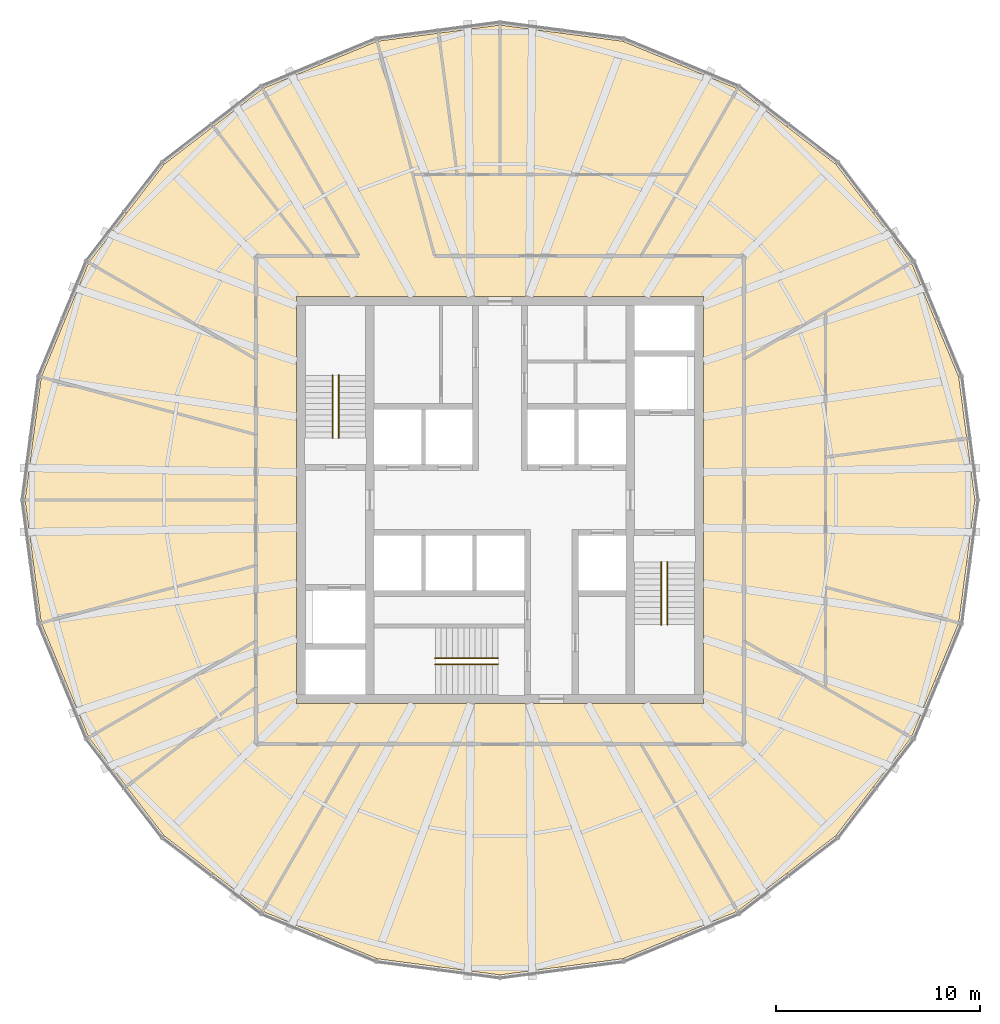
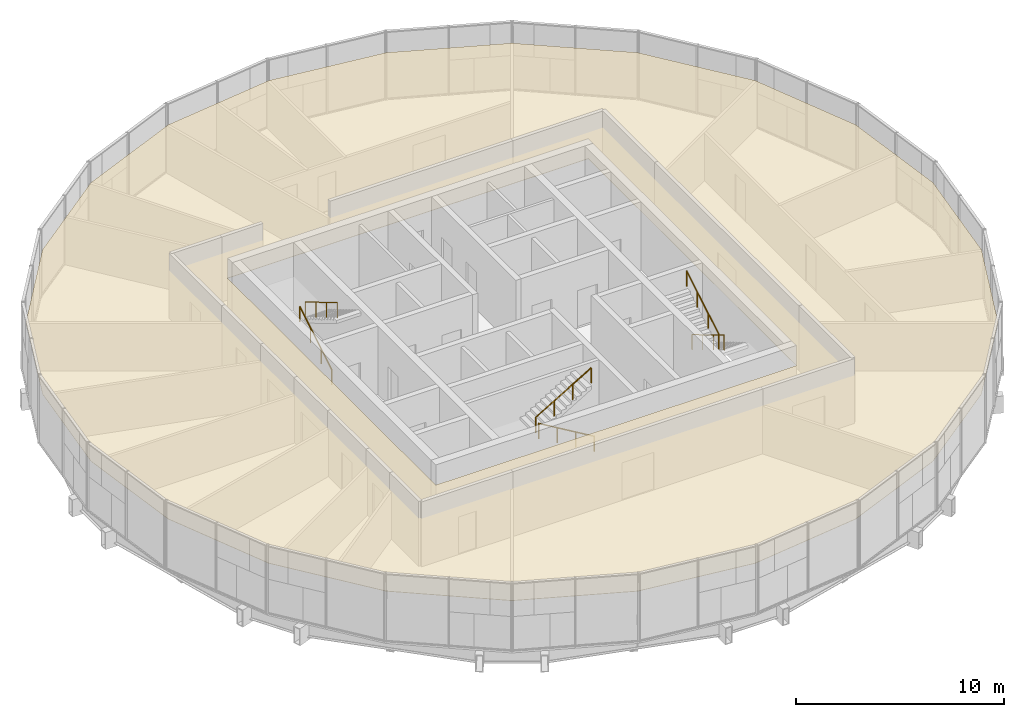
# One storey, part 13 of 13: 6 railings, 1 covering.
"""IFC4 building model written with IfcOpenShell, lengths in metres."""

from ifc_helpers import new_model, si_unit, direction, frame, origin, origin_2d, place, context, subcontext, project, spatial, polyline, circle, outline, extrude, material, layer, layer_set, type_object, element, save


model = new_model("IFC4")

# Units and contexts
model_context = context("Model", 3, precision=1e-05, world=origin(), true_north=direction((0.0, 1.0)))
body_context = subcontext(model_context, "Body", "Model", "MODEL_VIEW")
ifc_project = project(units=[si_unit("LENGTHUNIT", "METRE"), si_unit("AREAUNIT", "SQUARE_METRE"), si_unit("VOLUMEUNIT", "CUBIC_METRE"), si_unit("PLANEANGLEUNIT", "RADIAN"), si_unit("MASSUNIT", "GRAM", prefix="KILO")], contexts=[model_context])

# Site, building, storey
site_placement = place(None, origin())
site = spatial("IfcSite", under=ifc_project, at=site_placement, CompositionType="ELEMENT")
building_placement = place(site_placement, origin())
building = spatial("IfcBuilding", under=site, at=building_placement, Name="Golbaran Civic Tower", CompositionType="ELEMENT")
storey_placement = place(building_placement, frame((0.0, 0.0, 211.0)))
storey = spatial("IfcBuildingStorey", under=building, at=storey_placement, Name="L51", CompositionType="ELEMENT", Elevation=211.0)

# Railings
ifc_material_1 = material(Name="Stainless steel", Category="steel")
railing_type = type_object("IfcRailingType", Name="STAIR HANDRAIL 900", PredefinedType="HANDRAIL", material=ifc_material_1)
railing_1_placement = place(storey_placement, frame((-8.22509765625, 3.050048828125, 0.166748046875)))
element("IfcRailing", 1, at=railing_1_placement, inside=storey, type_object=railing_type, Name="Stair S1 handrail flight 1 L51", PredefinedType="HANDRAIL", context=body_context, shape_type="SweptSolid", body=[
    extrude(circle(Radius=0.02392578125, at=origin_2d()), frame((0.0, 0.0, 0.8759765625), z_axis=(0.0, 0.859290745958, 0.51148745235), x_axis=(-1.0, 0.0, 0.0)), (0.0, 0.0, 1.0), 3.584228515625),
    extrude(circle(Radius=0.02099609375, at=origin_2d()), origin(), (0.0, 0.0, 1.0), 0.851806640625),
    extrude(circle(Radius=0.02099609375, at=origin_2d()), frame((0.0, 1.026611328125, 0.611083984375)), (0.0, 0.0, 1.0), 0.851806640625),
    extrude(circle(Radius=0.02099609375, at=origin_2d()), frame((0.0, 2.05322265625, 1.22216796875)), (0.0, 0.0, 1.0), 0.851806640625),
    extrude(circle(Radius=0.02099609375, at=origin_2d()), frame((0.0, 3.079833984375, 1.833251953125)), (0.0, 0.0, 1.0), 0.851806640625),
])
for number, where, name in (
    (2, (-7.925048828125, 6.1298828125, 2.166748046875), "Stair S1 handrail flight 2 L51"),
    (3, (8.22509765625, -3.050048828125, 0.166748046875), "Stair S2 handrail flight 1 L51"),
):
    element("IfcRailing", number, at=place(storey_placement, frame(where)), inside=storey, type_object=railing_type, Name=name, PredefinedType="HANDRAIL", context=body_context, shape_type="SweptSolid", body=[
        extrude(circle(Radius=0.02392578125, at=origin_2d()), frame((0.0, 0.0, 0.8759765625), z_axis=(0.0, -0.859290745958, 0.51148745235), x_axis=(1.0, 0.0, 0.0)), (0.0, 0.0, 1.0), 3.584228515625),
        extrude(circle(Radius=0.02099609375, at=origin_2d()), origin(), (0.0, 0.0, 1.0), 0.851806640625),
        extrude(circle(Radius=0.02099609375, at=origin_2d()), frame((0.0, -1.026611328125, 0.611083984375)), (0.0, 0.0, 1.0), 0.851806640625),
        extrude(circle(Radius=0.02099609375, at=origin_2d()), frame((0.0, -2.05322265625, 1.22216796875)), (0.0, 0.0, 1.0), 0.851806640625),
        extrude(circle(Radius=0.02099609375, at=origin_2d()), frame((0.0, -3.079833984375, 1.833251953125)), (0.0, 0.0, 1.0), 0.851806640625),
    ])
railing_2_placement = place(storey_placement, frame((7.925048828125, -6.1298828125, 2.166748046875)))
element("IfcRailing", 4, at=railing_2_placement, inside=storey, type_object=railing_type, Name="Stair S2 handrail flight 2 L51", PredefinedType="HANDRAIL", context=body_context, shape_type="SweptSolid", body=[
    extrude(circle(Radius=0.02392578125, at=origin_2d()), frame((0.0, 0.0, 0.8759765625), z_axis=(0.0, 0.859290745958, 0.51148745235), x_axis=(-1.0, 0.0, 0.0)), (0.0, 0.0, 1.0), 3.584228515625),
    extrude(circle(Radius=0.02099609375, at=origin_2d()), origin(), (0.0, 0.0, 1.0), 0.851806640625),
    extrude(circle(Radius=0.02099609375, at=origin_2d()), frame((0.0, 1.026611328125, 0.611083984375)), (0.0, 0.0, 1.0), 0.851806640625),
    extrude(circle(Radius=0.02099609375, at=origin_2d()), frame((0.0, 2.05322265625, 1.22216796875)), (0.0, 0.0, 1.0), 0.851806640625),
    extrude(circle(Radius=0.02099609375, at=origin_2d()), frame((0.0, 3.079833984375, 1.833251953125)), (0.0, 0.0, 1.0), 0.851806640625),
])
railing_3_placement = place(storey_placement, frame((-0.10009765625, -8.074951171875, 0.166748046875)))
element("IfcRailing", 5, at=railing_3_placement, inside=storey, type_object=railing_type, Name="Stair S3 handrail flight 1 L51", PredefinedType="HANDRAIL", context=body_context, shape_type="SweptSolid", body=[
    extrude(circle(Radius=0.02392578125, at=origin_2d()), frame((0.0, 0.0, 0.8759765625), z_axis=(-0.859290745958, 0.0, 0.51148745235), x_axis=(0.0, -1.0, 0.0)), (0.0, 0.0, 1.0), 3.584228515625),
    extrude(circle(Radius=0.02099609375, at=origin_2d()), origin(), (0.0, 0.0, 1.0), 0.851806640625),
    extrude(circle(Radius=0.02099609375, at=origin_2d()), frame((-1.026611328125, 0.0, 0.611083984375)), (0.0, 0.0, 1.0), 0.851806640625),
    extrude(circle(Radius=0.02099609375, at=origin_2d()), frame((-2.05322265625, 0.0, 1.22216796875)), (0.0, 0.0, 1.0), 0.851806640625),
    extrude(circle(Radius=0.02099609375, at=origin_2d()), frame((-3.079833984375, 0.0, 1.833251953125)), (0.0, 0.0, 1.0), 0.851806640625),
])
railing_4_placement = place(storey_placement, frame((-3.179931640625, -7.77490234375, 2.166748046875)))
element("IfcRailing", 6, at=railing_4_placement, inside=storey, type_object=railing_type, Name="Stair S3 handrail flight 2 L51", PredefinedType="HANDRAIL", context=body_context, shape_type="SweptSolid", body=[
    extrude(circle(Radius=0.02392578125, at=origin_2d()), frame((0.0, 0.0, 0.8759765625), z_axis=(0.859290745958, 0.0, 0.51148745235), x_axis=(0.0, 1.0, 0.0)), (0.0, 0.0, 1.0), 3.584228515625),
    extrude(circle(Radius=0.02099609375, at=origin_2d()), origin(), (0.0, 0.0, 1.0), 0.851806640625),
    extrude(circle(Radius=0.02099609375, at=origin_2d()), frame((1.026611328125, 0.0, 0.611083984375)), (0.0, 0.0, 1.0), 0.851806640625),
    extrude(circle(Radius=0.02099609375, at=origin_2d()), frame((2.05322265625, 0.0, 1.22216796875)), (0.0, 0.0, 1.0), 0.851806640625),
    extrude(circle(Radius=0.02099609375, at=origin_2d()), frame((3.079833984375, 0.0, 1.833251953125)), (0.0, 0.0, 1.0), 0.851806640625),
])

# Covering
ifc_material_2 = material(Name="Mineral fibre tile on steel grid", Category="steel")
ifc_layer = layer(ifc_material_2, 0.02001953125, Name="Mineral fibre tile on steel grid")
ifc_layer_set = layer_set([ifc_layer], Name="Mineral fibre tile on steel grid")
covering_type = type_object("IfcCoveringType", Name="SUSPENDED CEILING 600 TILE 20", PredefinedType="CEILING", material=ifc_layer_set)
covering_placement = place(storey_placement, frame((0.0, 0.0, 2.800048828125)))
element("IfcCovering", 7, at=covering_placement, inside=storey, type_object=covering_type, Name="Suspended ceiling L51", PredefinedType="CEILING", context=body_context, shape_type="SweptSolid", body=[
    extrude(outline(polyline([(-16.50244140625, 16.50244140625), (-14.204833984375, 18.265625), (-11.6689453125, 20.211181640625), (-6.040283203125, 22.542724609375), (0.0, 23.337890625), (6.040283203125, 22.542724609375), (11.6689453125, 20.211181640625), (16.50244140625, 16.50244140625), (20.211181640625, 11.6689453125), (22.542724609375, 6.040283203125), (23.337890625, 0.0), (22.542724609375, -6.040283203125), (20.211181640625, -11.6689453125), (16.50244140625, -16.50244140625), (11.6689453125, -20.211181640625), (6.040283203125, -22.542724609375), (0.0, -23.337890625), (-6.040283203125, -22.542724609375), (-11.6689453125, -20.211181640625), (-16.50244140625, -16.50244140625), (-18.265625, -14.204833984375), (-20.211181640625, -11.6689453125), (-22.542724609375, -6.040283203125), (-23.337890625, 0.0), (-22.542724609375, 6.040283203125), (-20.211181640625, 11.6689453125), (-16.50244140625, 16.50244140625)]), holes=[polyline([(-10.0, 10.0), (-10.0, -10.0), (10.0, -10.0), (10.0, 10.0), (-10.0, 10.0)])]), origin(), (0.0, 0.0, 1.0), 0.02001953125),
])

save(model, "model.ifc")
